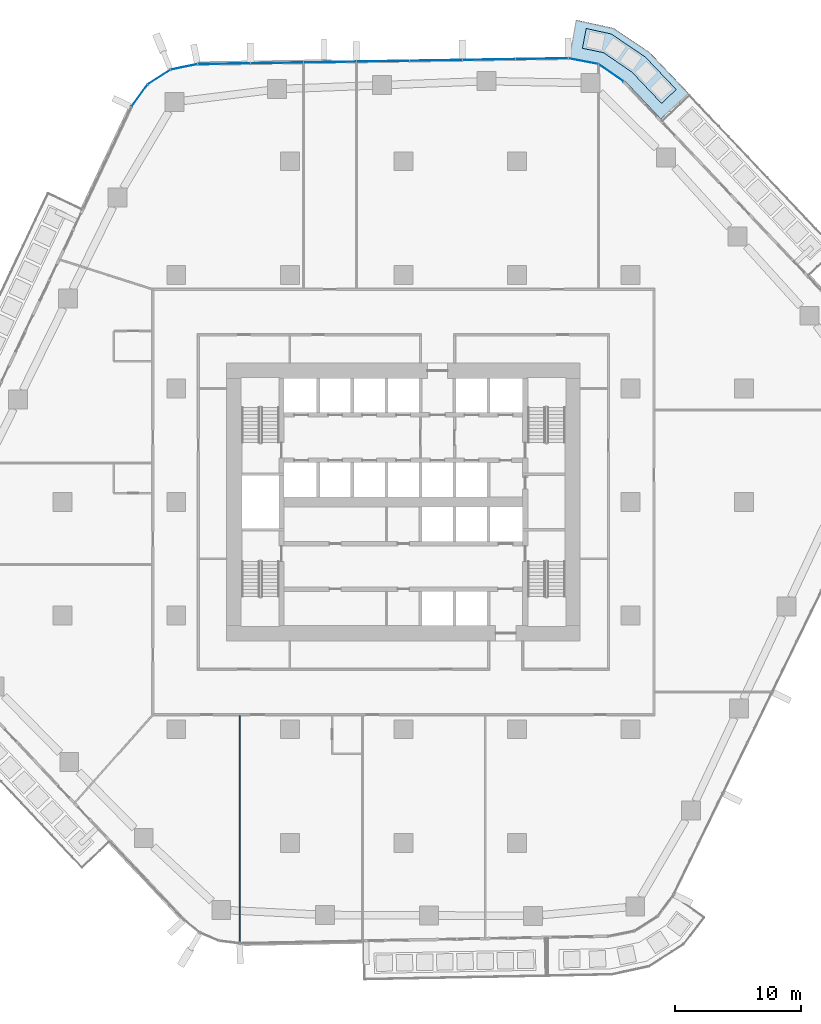
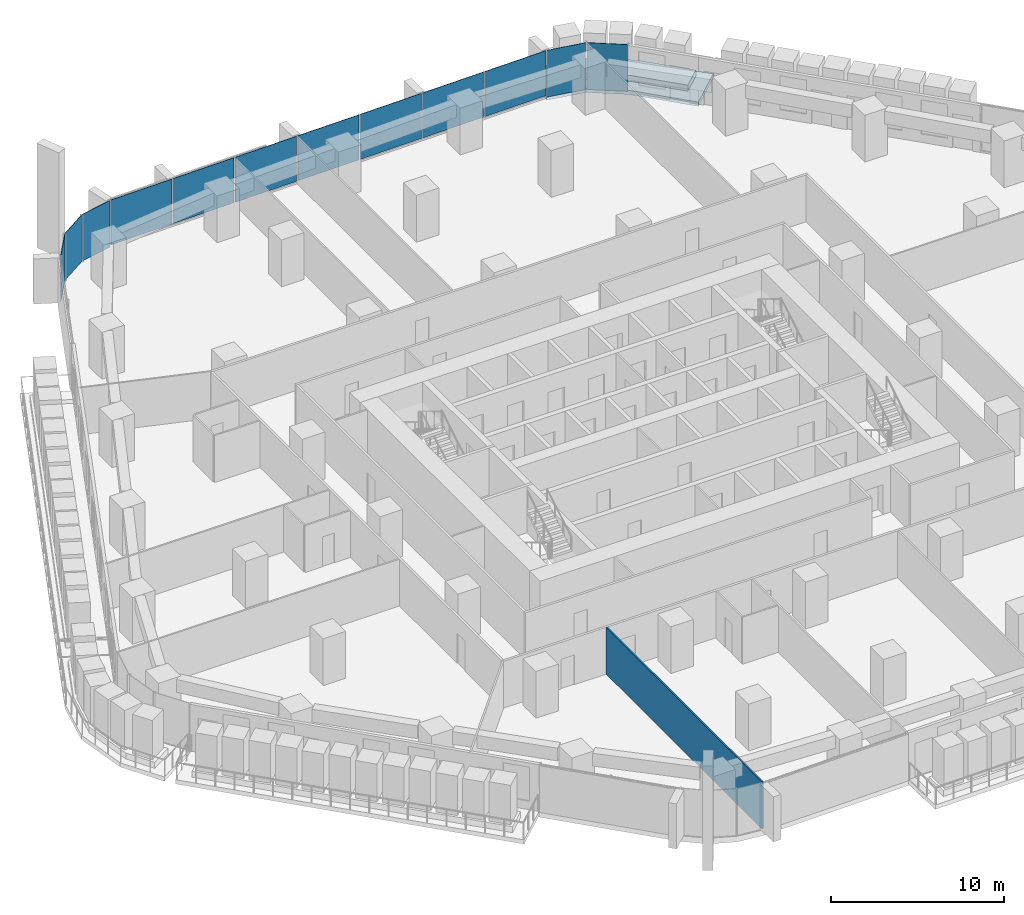
# One storey, part 12 of 25: 12 plates, 2 slabs, 1 wall, 3 elements without a shape of their own.
"""IFC4 building model written with IfcOpenShell, lengths in metres."""

from ifc_helpers import new_model, si_unit, direction, frame, frame_2d, origin, origin_2d, place, context, subcontext, project, spatial, polyline, rectangle, outline, extrude, material, layer, layer_set, type_object, element, aggregate, save


model = new_model("IFC4")

# Units and contexts
model_context = context("Model", 3, precision=1e-05, world=origin(), true_north=direction((0.0, 1.0)))
body_context = subcontext(model_context, "Body", "Model", "MODEL_VIEW")
ifc_project = project(units=[si_unit("LENGTHUNIT", "METRE"), si_unit("AREAUNIT", "SQUARE_METRE"), si_unit("VOLUMEUNIT", "CUBIC_METRE"), si_unit("PLANEANGLEUNIT", "RADIAN"), si_unit("MASSUNIT", "GRAM", prefix="KILO")], contexts=[model_context])

# Site, building, storey
site_placement = place(None, origin())
site = spatial("IfcSite", under=ifc_project, at=site_placement, CompositionType="ELEMENT")
building_placement = place(site_placement, origin())
building = spatial("IfcBuilding", under=site, at=building_placement, Name="Dongbaek Canopy Tower", CompositionType="ELEMENT")
storey_placement = place(building_placement, frame((0.0, 0.0, 77.300048828125)))
storey = spatial("IfcBuildingStorey", under=building, at=storey_placement, Name="L15", CompositionType="ELEMENT", Elevation=77.300048828125)

# Slab
ifc_material_1 = material(Name="Concrete C40/50", Category="concrete")
ifc_layer_1 = layer(ifc_material_1, 0.300048828125)
ifc_layer_set_1 = layer_set([ifc_layer_1], Name="Balcony slab 300")
slab_type_1 = type_object("IfcSlabType", Name="Balcony slab 300", PredefinedType="FLOOR", material=ifc_layer_set_1)
slab_1_placement = place(storey_placement, frame((0.0, 0.0, -0.300048828125)))
element("IfcSlab", 1, at=slab_1_placement, inside=storey, type_object=slab_type_1, Name="Balcony L15 5", PredefinedType="FLOOR", context=body_context, shape_type="SweptSolid", body=[
    extrude(outline(polyline([(20.423828125, 30.3203125), (17.530517578125, 33.380615234375), (15.500732421875, 34.78759765625), (13.125, 35.248291015625), (13.696044921875, 38.193359375), (16.66552734375, 37.55224609375), (19.485595703125, 35.656005859375), (22.603759765625, 32.38134765625), (20.423828125, 30.3203125)])), origin(), (0.0, 0.0, 1.0), 0.300048828125),
])

# Curtain wall, plates
ifc_material_2 = material(Name="Aluminium 6063-T6 pale anodised", Category="aluminium")
ifc_layer_2 = layer(ifc_material_2, 0.199951171875)
ifc_layer_set_2 = layer_set([ifc_layer_2], Name="CW-1 unitised tower curtain wall")
curtain_wall_type = type_object("IfcCurtainWallType", Name="CW-1 unitised tower curtain wall", PredefinedType="NOTDEFINED", material=ifc_layer_set_2)
curtain_wall_1_placement = place(storey_placement, origin())
curtain_wall_1 = element("IfcCurtainWall", 2, at=curtain_wall_1_placement, inside=storey, type_object=curtain_wall_type, Name="CW-1 curtain wall K1.1", PredefinedType="NOTDEFINED")
ifc_material_3 = material(Name="Clear laminated glass", Category="glass")
ifc_layer_3 = layer(ifc_material_3, 0.028076171875)
ifc_layer_set_3 = layer_set([ifc_layer_3], Name="CW-1 glazed panel 28")
plate_type = type_object("IfcPlateType", Name="CW-1 glazed panel 28", PredefinedType="CURTAIN_PANEL", material=ifc_layer_set_3)
plate_1_placement = place(storey_placement, frame((16.462890625, 33.998779296875, 0.0), z_axis=(0.0, 0.0, 1.0), x_axis=(-0.821856706418, 0.56969426372, 0.0)))
plate_1 = element("IfcPlate", 3, at=plate_1_placement, type_object=plate_type, Name="CW-1 panel K1.1.1.1", PredefinedType="CURTAIN_PANEL", context=body_context, shape_type="SweptSolid", body=[
    extrude(rectangle(XDim=2.3544921875, YDim=0.028076171875, at=origin_2d()), origin(), (0.0, 0.0, 1.0), 3.300048828125),
])
plate_2_placement = place(storey_placement, frame((14.263916015625, 34.925537109375, 0.0), z_axis=(0.0, 0.0, 1.0), x_axis=(-0.981714531803, 0.190359076609, 0.0)))
plate_2 = element("IfcPlate", 4, at=plate_2_placement, type_object=plate_type, Name="CW-1 panel K1.1.2.1", PredefinedType="CURTAIN_PANEL", context=body_context, shape_type="SweptSolid", body=[
    extrude(rectangle(XDim=2.3544921875, YDim=0.028076171875, at=origin_2d()), origin(), (0.0, 0.0, 1.0), 3.300048828125),
])
aggregate(curtain_wall_1, [plate_1, plate_2])

curtain_wall_2_placement = place(storey_placement, origin())
curtain_wall_2 = element("IfcCurtainWall", 5, at=curtain_wall_2_placement, inside=storey, type_object=curtain_wall_type, Name="CW-1 curtain wall F1.1", PredefinedType="NOTDEFINED")
plate_3_placement = place(storey_placement, frame((10.97265625, 35.12451171875, 0.1201171875), z_axis=(0.0, 0.0, 1.0), x_axis=(-0.999875576437, -0.015774398409, 0.0)))
plate_3 = element("IfcPlate", 6, at=plate_3_placement, type_object=plate_type, Name="CW-1 panel F1.1.1.1", PredefinedType="CURTAIN_PANEL", context=body_context, shape_type="SweptSolid", body=[
    extrude(rectangle(XDim=4.10546875, YDim=0.028076171875, at=origin_2d()), origin(), (0.0, 0.0, 1.0), 3.179931640625),
])
plate_4_placement = place(storey_placement, frame((6.778564453125, 35.058349609375, 0.1201171875), z_axis=(0.0, 0.0, 1.0), x_axis=(-0.999875576437, -0.015774398409, 0.0)))
plate_4 = element("IfcPlate", 7, at=plate_4_placement, type_object=plate_type, Name="CW-1 panel F1.1.2.1", PredefinedType="CURTAIN_PANEL", context=body_context, shape_type="SweptSolid", body=[
    extrude(rectangle(XDim=4.115966796875, YDim=0.028076171875, at=origin_2d()), origin(), (0.0, 0.0, 1.0), 3.179931640625),
])
plate_5_placement = place(storey_placement, frame((2.5791015625, 34.9921875, 0.1201171875), z_axis=(0.0, 0.0, 1.0), x_axis=(-0.999875576437, -0.015774398409, 0.0)))
plate_5 = element("IfcPlate", 8, at=plate_5_placement, type_object=plate_type, Name="CW-1 panel F1.1.3.1", PredefinedType="CURTAIN_PANEL", context=body_context, shape_type="SweptSolid", body=[
    extrude(rectangle(XDim=4.115966796875, YDim=0.028076171875, at=origin_2d()), origin(), (0.0, 0.0, 1.0), 3.179931640625),
])
plate_6_placement = place(storey_placement, frame((-1.6201171875, 34.92578125, 0.1201171875), z_axis=(0.0, 0.0, 1.0), x_axis=(-0.999875576437, -0.015774398409, 0.0)))
plate_6 = element("IfcPlate", 9, at=plate_6_placement, type_object=plate_type, Name="CW-1 panel F1.1.4.1", PredefinedType="CURTAIN_PANEL", context=body_context, shape_type="SweptSolid", body=[
    extrude(rectangle(XDim=4.115966796875, YDim=0.028076171875, at=origin_2d()), origin(), (0.0, 0.0, 1.0), 3.179931640625),
])
plate_7_placement = place(storey_placement, frame((-5.819580078125, 34.859619140625, 0.1201171875), z_axis=(0.0, 0.0, 1.0), x_axis=(-0.999875576437, -0.015774398409, 0.0)))
plate_7 = element("IfcPlate", 10, at=plate_7_placement, type_object=plate_type, Name="CW-1 panel F1.1.5.1", PredefinedType="CURTAIN_PANEL", context=body_context, shape_type="SweptSolid", body=[
    extrude(rectangle(XDim=4.115966796875, YDim=0.028076171875, at=origin_2d()), origin(), (0.0, 0.0, 1.0), 3.179931640625),
])
plate_8_placement = place(storey_placement, frame((-10.018798828125, 34.79345703125, 0.1201171875), z_axis=(0.0, 0.0, 1.0), x_axis=(-0.999875576437, -0.015774398409, 0.0)))
plate_8 = element("IfcPlate", 11, at=plate_8_placement, type_object=plate_type, Name="CW-1 panel F1.1.6.1", PredefinedType="CURTAIN_PANEL", context=body_context, shape_type="SweptSolid", body=[
    extrude(rectangle(XDim=4.115966796875, YDim=0.028076171875, at=origin_2d()), origin(), (0.0, 0.0, 1.0), 3.179931640625),
])
plate_9_placement = place(storey_placement, frame((-14.213623046875, 34.727294921875, 0.1201171875), z_axis=(0.0, 0.0, 1.0), x_axis=(-0.999875576437, -0.015774398409, 0.0)))
plate_9 = element("IfcPlate", 12, at=plate_9_placement, type_object=plate_type, Name="CW-1 panel F1.1.7.1", PredefinedType="CURTAIN_PANEL", context=body_context, shape_type="SweptSolid", body=[
    extrude(rectangle(XDim=4.1064453125, YDim=0.028076171875, at=origin_2d()), origin(), (0.0, 0.0, 1.0), 3.179931640625),
])
aggregate(curtain_wall_2, [plate_3, plate_4, plate_5, plate_6, plate_7, plate_8, plate_9])

curtain_wall_3_placement = place(storey_placement, origin())
curtain_wall_3 = element("IfcCurtainWall", 13, at=curtain_wall_3_placement, inside=storey, type_object=curtain_wall_type, Name="CW-1 curtain wall K2.1", PredefinedType="NOTDEFINED")
plate_10_placement = place(storey_placement, frame((-17.379638671875, 34.4755859375, 0.0), z_axis=(0.0, 0.0, 1.0), x_axis=(-0.97978998398, -0.200028966133, 0.0)))
plate_10 = element("IfcPlate", 14, at=plate_10_placement, type_object=plate_type, Name="CW-1 panel K2.1.1.1", PredefinedType="CURTAIN_PANEL", context=body_context, shape_type="SweptSolid", body=[
    extrude(rectangle(XDim=2.1025390625, YDim=0.028076171875, at=origin_2d()), origin(), (0.0, 0.0, 1.0), 3.300048828125),
])
plate_11_placement = place(storey_placement, frame((-19.36572265625, 33.6669921875, 0.0), z_axis=(0.0, 0.0, 1.0), x_axis=(-0.840488397568, -0.541829542896, 0.0)))
plate_11 = element("IfcPlate", 15, at=plate_11_placement, type_object=plate_type, Name="CW-1 panel K2.1.2.1", PredefinedType="CURTAIN_PANEL", context=body_context, shape_type="SweptSolid", body=[
    extrude(rectangle(XDim=2.093017578125, YDim=0.028076171875, at=origin_2d()), origin(), (0.0, 0.0, 1.0), 3.300048828125),
])
plate_12_placement = place(storey_placement, frame((-20.922119140625, 32.19189453125, 0.0), z_axis=(0.0, 0.0, 1.0), x_axis=(-0.586684919849, -0.809815290558, 0.0)))
plate_12 = element("IfcPlate", 16, at=plate_12_placement, type_object=plate_type, Name="CW-1 panel K2.1.3.1", PredefinedType="CURTAIN_PANEL", context=body_context, shape_type="SweptSolid", body=[
    extrude(rectangle(XDim=2.1025390625, YDim=0.028076171875, at=origin_2d()), origin(), (0.0, 0.0, 1.0), 3.300048828125),
])
aggregate(curtain_wall_3, [plate_10, plate_11, plate_12])

# Slab
ifc_material_4 = material(Name="Reinforced concrete C40/50 planter box with soil", Category="concrete")
ifc_layer_4 = layer(ifc_material_4, 0.419921875)
ifc_layer_set_4 = layer_set([ifc_layer_4], Name="Terrace planter box 1600 x 420")
slab_type_2 = type_object("IfcSlabType", Name="Terrace planter box 1600 x 420", PredefinedType="USERDEFINED", material=ifc_layer_set_4)
slab_2_placement = place(storey_placement, origin())
element("IfcSlab", 17, at=slab_2_placement, inside=storey, type_object=slab_type_2, Name="Balcony planter L15 5", ObjectType="PLANTER", PredefinedType="USERDEFINED", context=body_context, shape_type="SweptSolid", body=[
    extrude(outline(polyline([(20.4521484375, 31.585693359375), (18.1103515625, 34.0556640625), (15.84619140625, 35.607666015625), (14.177978515625, 35.95068359375), (14.482666015625, 37.521484375), (16.467529296875, 37.082275390625), (19.153076171875, 35.269287109375), (21.61474609375, 32.68505859375), (20.4521484375, 31.585693359375)])), origin(), (0.0, 0.0, 1.0), 0.419921875),
])

# Wall
ifc_material_5 = material(Name="Gypsum board partition, steel stud, 2 x 12.5 mm board", Category="steel")
ifc_layer_5 = layer(ifc_material_5, 0.10009765625)
ifc_layer_set_5 = layer_set([ifc_layer_5], Name="Partition 100 gypsum board")
wall_type = type_object("IfcWallType", Name="Partition 100 gypsum board", PredefinedType="PARTITIONING", material=ifc_layer_set_5)
wall_placement = place(storey_placement, frame((-12.964111328125, -34.935546875, 0.0), z_axis=(0.0, 0.0, 1.0), x_axis=(0.0, 1.0, 0.0)))
element("IfcWall", 18, at=wall_placement, inside=storey, type_object=wall_type, Name="Partition", PredefinedType="PARTITIONING", context=body_context, shape_type="SweptSolid", body=[
    extrude(rectangle(XDim=18.010498046875, YDim=0.10009765625, at=frame_2d((9.00537109375, 0.0))), origin(), (0.0, 0.0, 1.0), 3.300048828125),
])

save(model, "model.ifc")
